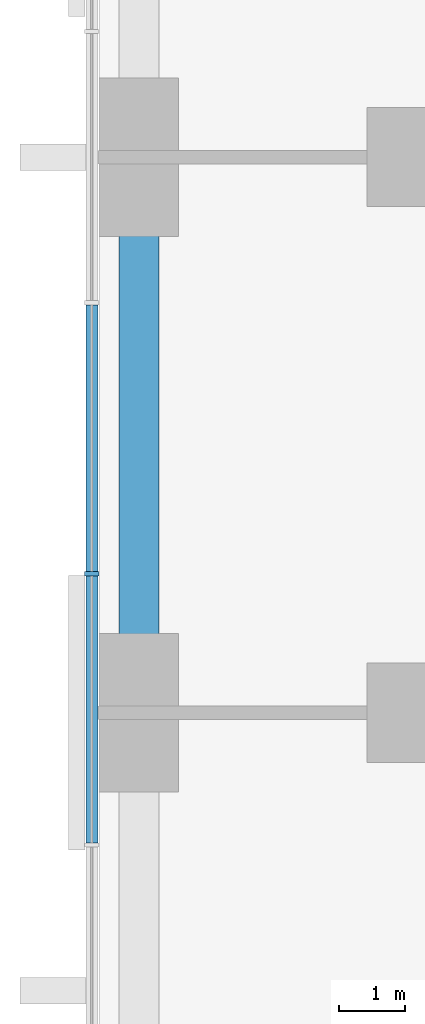
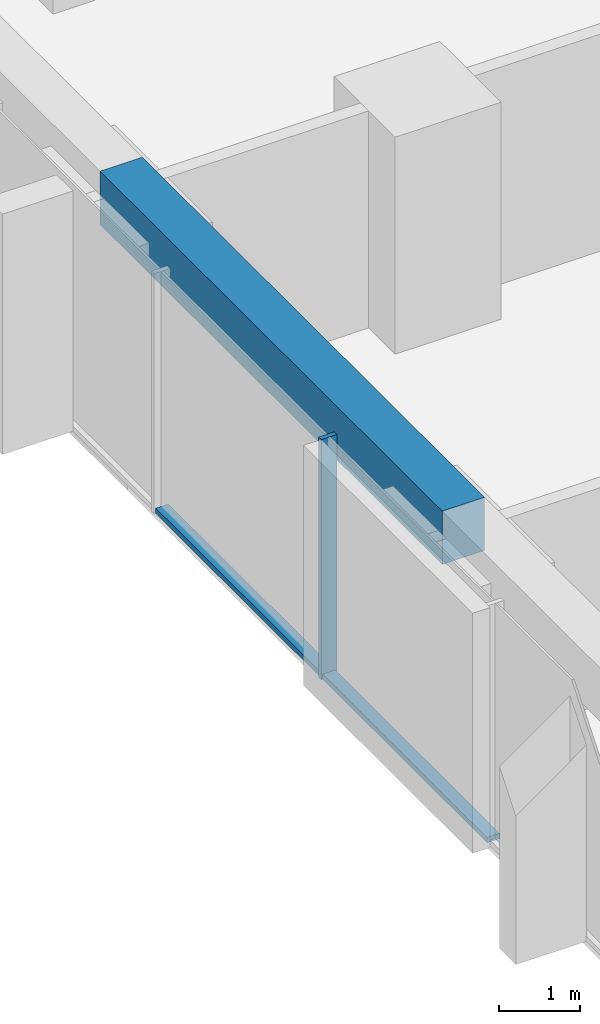
# One storey, part 3 of 13: 3 members, 1 beam, 1 element without a shape of its own.
"""IFC4 building model written with IfcOpenShell, lengths in metres."""

from ifc_helpers import new_model, si_unit, direction, frame, origin, origin_2d, place, context, subcontext, project, spatial, rectangle, extrude, material, material_profile, profile_set, type_object, element, aggregate, save


model = new_model("IFC4")

# Units and contexts
model_context = context("Model", 3, precision=1e-05, world=origin(), true_north=direction((0.0, 1.0)))
body_context = subcontext(model_context, "Body", "Model", "MODEL_VIEW")
ifc_project = project(units=[si_unit("LENGTHUNIT", "METRE"), si_unit("AREAUNIT", "SQUARE_METRE"), si_unit("VOLUMEUNIT", "CUBIC_METRE"), si_unit("PLANEANGLEUNIT", "RADIAN"), si_unit("MASSUNIT", "GRAM", prefix="KILO")], contexts=[model_context])

# Site, building, storey
site_placement = place(None, origin())
site = spatial("IfcSite", under=ifc_project, at=site_placement, CompositionType="ELEMENT")
building_placement = place(site_placement, origin())
building = spatial("IfcBuilding", under=site, at=building_placement, Name="Dunama Terrace Hotel", CompositionType="ELEMENT")
storey_placement = place(building_placement, frame((0.0, 0.0, 118.800048828125)))
storey = spatial("IfcBuildingStorey", under=building, at=storey_placement, Name="L30", CompositionType="ELEMENT", Elevation=118.800048828125)

# Curtain wall, members
ifc_material_1 = material(Name="Aluminium curtain wall system", Category="aluminium")
curtain_wall_type = type_object("IfcCurtainWallType", Name="Unitised fritted glass wall CW-B", PredefinedType="NOTDEFINED", material=ifc_material_1)
curtain_wall_placement = place(storey_placement, origin())
curtain_wall = element("IfcCurtainWall", 1, at=curtain_wall_placement, inside=storey, type_object=curtain_wall_type, Name="Unitised fritted glass wall CW-B L30", PredefinedType="NOTDEFINED")
ifc_material_2 = material(Name="Aluminium mullion", Category="aluminium")
ifc_material_profile_1 = material_profile(ifc_material_2, rectangle(XDim=0.06494140625, YDim=0.219970703125, at=origin_2d()), Name="CWB MULLION 65X220")
ifc_profile_set_1 = profile_set([ifc_material_profile_1], Name="Aluminium mullion")
member_type_1 = type_object("IfcMemberType", Name="CWB mullion 65x220", PredefinedType="MULLION", material=ifc_profile_set_1)
member_1_placement = place(storey_placement, frame((-0.110107421875, 27.300048828125, 0.0), z_axis=(0.0, 0.0, 1.0), x_axis=(0.0, -1.0, 0.0)))
member_1 = element("IfcMember", 2, at=member_1_placement, type_object=member_type_1, Name="CWB mullion", PredefinedType="MULLION", context=body_context, shape_type="SweptSolid", body=[
    extrude(rectangle(XDim=0.06494140625, YDim=0.219970703125, at=origin_2d()), origin(), (0.0, 0.0, 1.0), 3.599853515625),
])
ifc_material_3 = material(Name="Aluminium transom", Category="aluminium")
ifc_material_profile_2 = material_profile(ifc_material_3, rectangle(XDim=0.179931640625, YDim=0.080078125, at=origin_2d()), Name="CWB TRANSOM 180X80")
ifc_profile_set_2 = profile_set([ifc_material_profile_2], Name="Aluminium transom")
member_type_2 = type_object("IfcMemberType", Name="CWB transom 180x80", PredefinedType="USERDEFINED", material=ifc_profile_set_2)
member_2_placement = place(storey_placement, frame((-0.110107421875, 31.366943359375, 0.0400390625), z_axis=(0.0, -1.0, 0.0), x_axis=(1.0, 0.0, 0.0)))
member_2 = element("IfcMember", 3, at=member_2_placement, type_object=member_type_2, Name="CWB transom", ObjectType="TRANSOM", PredefinedType="USERDEFINED", context=body_context, shape_type="SweptSolid", body=[
    extrude(rectangle(XDim=0.179931640625, YDim=0.080078125, at=origin_2d()), origin(), (0.0, 0.0, 1.0), 4.034912109375),
])
member_3_placement = place(storey_placement, frame((-0.110107421875, 27.26806640625, 0.0400390625), z_axis=(0.0, -1.0, 0.0), x_axis=(1.0, 0.0, 0.0)))
member_3 = element("IfcMember", 4, at=member_3_placement, type_object=member_type_2, Name="CWB transom", ObjectType="TRANSOM", PredefinedType="USERDEFINED", context=body_context, shape_type="SweptSolid", body=[
    extrude(rectangle(XDim=0.179931640625, YDim=0.080078125, at=origin_2d()), origin(), (0.0, 0.0, 1.0), 4.03515625),
])
aggregate(curtain_wall, [member_1, member_2, member_3])

# Beam
ifc_material_4 = material(Name="Concrete C40/50", Category="concrete")
ifc_material_profile_3 = material_profile(ifc_material_4, rectangle(XDim=0.60009765625, YDim=0.800048828125, at=origin_2d()), Name="RC 600x800")
ifc_profile_set_3 = profile_set([ifc_material_profile_3], Name="Concrete C40/50")
beam_type = type_object("IfcBeamType", Name="Edge beam RC 600x800", PredefinedType="SPANDREL", material=ifc_profile_set_3)
beam_placement = place(storey_placement, frame((0.60009765625, 25.199951171875, 3.199951171875), z_axis=(0.0, 1.0, 0.0), x_axis=(-1.0, 0.0, 0.0)))
element("IfcBeam", 5, at=beam_placement, inside=storey, type_object=beam_type, Name="Edge beam under L31", PredefinedType="SPANDREL", context=body_context, shape_type="SweptSolid", body=[
    extrude(rectangle(XDim=0.60009765625, YDim=0.800048828125, at=origin_2d()), origin(), (0.0, 0.0, 1.0), 8.400146484375),
])

save(model, "model.ifc")
